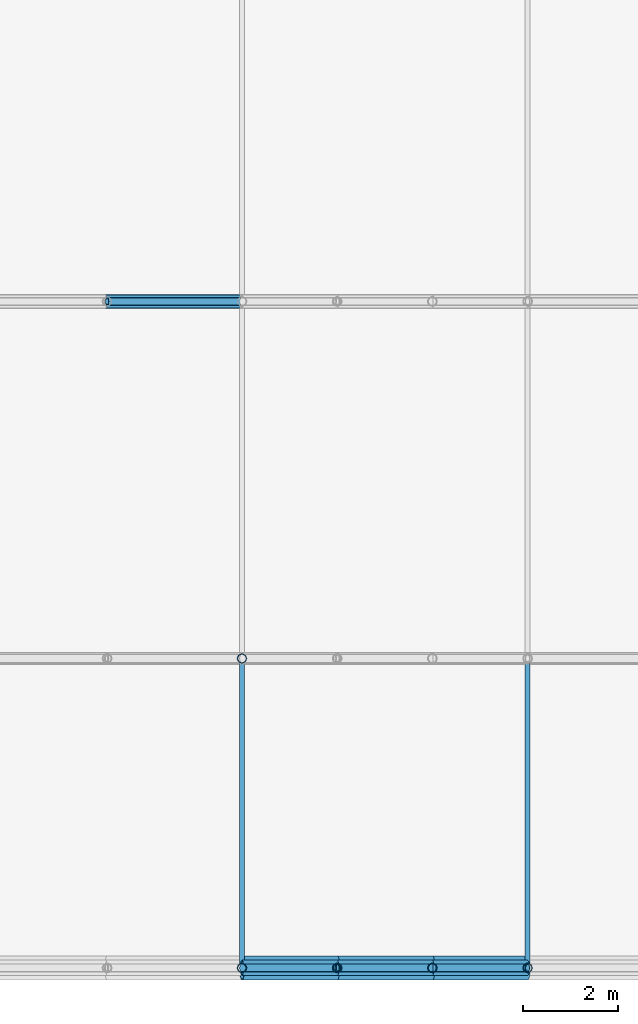
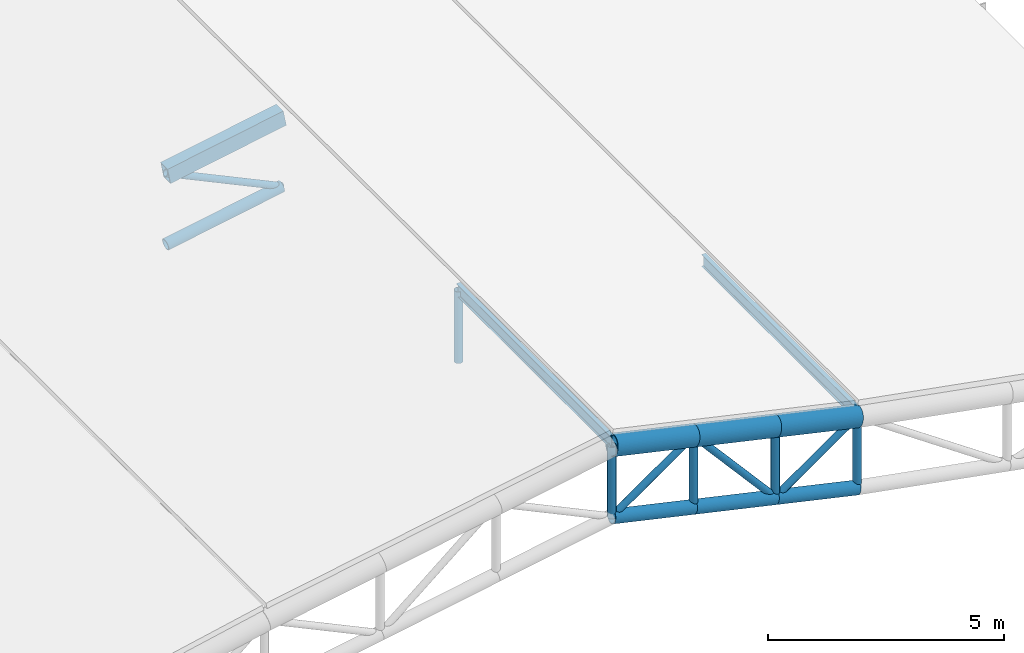
# One storey, part 2 of 28: 15 members, 4 beams.
"""IFC4 building model written with IfcOpenShell, lengths in metres."""

from ifc_helpers import new_model, si_unit, direction, frame, origin, origin_2d, place, context, subcontext, project, spatial, hollow_rectangle, hollow_circle, i_section, extrude, material, material_profile, profile_set, type_object, element, save


model = new_model("IFC4")

# Units and contexts
model_context = context("Model", 3, precision=1e-05, world=origin(), true_north=direction((0.0, 1.0)))
body_context = subcontext(model_context, "Body", "Model", "MODEL_VIEW")
ifc_project = project(units=[si_unit("LENGTHUNIT", "METRE"), si_unit("AREAUNIT", "SQUARE_METRE"), si_unit("VOLUMEUNIT", "CUBIC_METRE"), si_unit("PLANEANGLEUNIT", "RADIAN"), si_unit("MASSUNIT", "GRAM", prefix="KILO"), si_unit("THERMODYNAMICTEMPERATUREUNIT", "KELVIN"), si_unit("POWERUNIT", "WATT")], contexts=[model_context])

# Site, building, storey
site_placement = place(None, origin())
site = spatial("IfcSite", under=ifc_project, at=site_placement, CompositionType="ELEMENT")
building_placement = place(site_placement, origin())
building = spatial("IfcBuilding", under=site, at=building_placement, Name="Tepalcoro Natatorium and Aquatics Centre", CompositionType="ELEMENT")
storey_placement = place(building_placement, frame((0.0, 0.0, 23.199951171875)))
storey = spatial("IfcBuildingStorey", under=building, at=storey_placement, Name="RF", CompositionType="ELEMENT", Elevation=23.199951171875)

# Beams
ifc_material_1 = material(Name="Terracotta Painted Hollow Steel ASTM A500 Grade C (Fy 345 MPa)", Category="masonry")
ifc_material_profile_1 = material_profile(ifc_material_1, hollow_circle(Radius=0.25390625, WallThickness=0.02001953125, at=origin_2d()), Name="CHS508X20")
ifc_profile_set_1 = profile_set([ifc_material_profile_1], Name="Terracotta Painted Hollow Steel ASTM A500 Grade C (Fy 345 MPa)")
beam_type_1 = type_object("IfcBeamType", Name="AC_CHS508x20", PredefinedType="USERDEFINED", material=ifc_profile_set_1)
for number, where, z_axis, x_axis, name in (
    (1, (159.0, 6.5, -0.35693359375), (0.97561485681, 0.0, -0.21948952406), (0.0, 1.0, 0.0), "V2 Barrel-Arch Top Chord 1"),
    (2, (161.0, 6.5, -0.806884765625), (0.97561485681, 0.0, -0.21948952406), (0.0, 1.0, 0.0), "V2 Barrel-Arch Top Chord 1"),
    (3, (163.0, 6.5, -1.2568359375), (0.975589348514, 0.0, -0.219602875813), (0.0, 1.0, 0.0), "V2 Barrel-Arch Top Chord 1"),
):
    element("IfcBeam", number, at=place(storey_placement, frame(where, z_axis=z_axis, x_axis=x_axis)), inside=storey, type_object=beam_type_1, Name=name, ObjectType="ARCH CHORD", PredefinedType="USERDEFINED", context=body_context, shape_type="SweptSolid", body=[
        extrude(hollow_circle(Radius=0.25390625, WallThickness=0.02001953125, at=origin_2d()), origin(), (0.0, 0.0, 1.0), 2.050048828125),
    ])
ifc_material_profile_2 = material_profile(ifc_material_1, hollow_rectangle(XDim=0.300048828125, YDim=0.39990234375, WallThickness=0.01611328125, at=origin_2d()), Name="HSS400X300X16")
ifc_profile_set_2 = profile_set([ifc_material_profile_2], Name="Terracotta Painted Hollow Steel ASTM A500 Grade C (Fy 345 MPa)")
beam_type_2 = type_object("IfcBeamType", Name="AC_HSS400x300x16", PredefinedType="USERDEFINED", material=ifc_profile_set_2)
beam_placement = place(storey_placement, frame((156.166748046875, 20.5, -0.819580078125), z_axis=(0.983780267563, 0.0, 0.179377772181), x_axis=(0.0, 1.0, 0.0)))
element("IfcBeam", 4, at=beam_placement, inside=storey, type_object=beam_type_2, Name="V2 Barrel-Arch Top Chord 3", ObjectType="ARCH CHORD", PredefinedType="USERDEFINED", context=body_context, shape_type="SweptSolid", body=[
    extrude(hollow_rectangle(XDim=0.300048828125, YDim=0.39990234375, WallThickness=0.01611328125, at=origin_2d()), origin(), (0.0, 0.0, 1.0), 2.8798828125),
])

# Members
ifc_material_profile_3 = material_profile(ifc_material_1, hollow_circle(Radius=0.136474609375, WallThickness=0.01611328125, at=origin_2d()), Name="CHS273X16")
ifc_profile_set_3 = profile_set([ifc_material_profile_3], Name="Terracotta Painted Hollow Steel ASTM A500 Grade C (Fy 345 MPa)")
member_type_1 = type_object("IfcMemberType", Name="MB_CH_CHS273x16", PredefinedType="CHORD", material=ifc_profile_set_3)
member_1_placement = place(storey_placement, frame((156.166748046875, 20.5, -2.669677734375), z_axis=(0.98376530478, 0.0, 0.179459814754), x_axis=(0.0, 1.0, 0.0)))
element("IfcMember", 5, at=member_1_placement, inside=storey, type_object=member_type_1, Name="V2 Barrel-Arch Bottom Chord 3", PredefinedType="CHORD", context=body_context, shape_type="SweptSolid", body=[
    extrude(hollow_circle(Radius=0.136474609375, WallThickness=0.01611328125, at=origin_2d()), origin(), (0.0, 0.0, 1.0), 2.880126953125),
])
ifc_material_profile_4 = material_profile(ifc_material_1, hollow_circle(Radius=0.162109375, WallThickness=0.013916015625, at=origin_2d()), Name="CHS324X14")
ifc_profile_set_4 = profile_set([ifc_material_profile_4], Name="Terracotta Painted Hollow Steel ASTM A500 Grade C (Fy 345 MPa)")
member_type_2 = type_object("IfcMemberType", Name="MB_CH_CHS324x14", PredefinedType="CHORD", material=ifc_profile_set_4)
for number, where, z_axis, x_axis, name in (
    (6, (159.0, 6.5, -2.20703125), (0.97561485681, 0.0, -0.21948952406), (0.0, 1.0, 0.0), "V2 Barrel-Arch Bottom Chord 1"),
    (7, (161.0, 6.5, -2.656982421875), (0.97561485681, 0.0, -0.21948952406), (0.0, 1.0, 0.0), "V2 Barrel-Arch Bottom Chord 1"),
    (8, (163.0, 6.5, -3.10693359375), (0.97561485681, 0.0, -0.21948952406), (0.0, 1.0, 0.0), "V2 Barrel-Arch Bottom Chord 1"),
):
    element("IfcMember", number, at=place(storey_placement, frame(where, z_axis=z_axis, x_axis=x_axis)), inside=storey, type_object=member_type_2, Name=name, PredefinedType="CHORD", context=body_context, shape_type="SweptSolid", body=[
        extrude(hollow_circle(Radius=0.162109375, WallThickness=0.013916015625, at=origin_2d()), origin(), (0.0, 0.0, 1.0), 2.050048828125),
    ])
ifc_material_2 = material(Name="Steel ASTM A992 Grade 50 (Fy 345 MPa)", Category="steel")
ifc_material_profile_5 = material_profile(ifc_material_2, i_section(OverallWidth=0.10205078125, OverallDepth=0.31201171875, WebThickness=0.007080078125, FlangeThickness=0.010986328125, FilletRadius=0.013916015625, at=origin_2d()), Name="W12X22")
ifc_profile_set_5 = profile_set([ifc_material_profile_5], Name="Steel ASTM A992 Grade 50 (Fy 345 MPa)")
member_type_3 = type_object("IfcMemberType", Name="MB_PR_W12x22", PredefinedType="PURLIN", material=ifc_profile_set_5)
for number, where, z_axis, x_axis, name in (
    (9, (159.0, 6.5, -0.259033203125), (0.0, 1.0, 0.0), (-1.0, 0.0, 0.0), "V2 Barrel-Arch Roof Purlin"),
    (10, (165.0, 6.5, -1.60888671875), (0.0, 1.0, 0.0), (-1.0, 0.0, 0.0), "V2 Barrel-Arch Roof Purlin"),
):
    element("IfcMember", number, at=place(storey_placement, frame(where, z_axis=z_axis, x_axis=x_axis)), inside=storey, type_object=member_type_3, Name=name, PredefinedType="PURLIN", context=body_context, shape_type="SweptSolid", body=[
        extrude(i_section(OverallWidth=0.10205078125, OverallDepth=0.31201171875, WebThickness=0.007080078125, FlangeThickness=0.010986328125, FilletRadius=0.013916015625, at=origin_2d()), origin(), (0.0, 0.0, 1.0), 6.5),
    ])
ifc_material_profile_6 = material_profile(ifc_material_1, hollow_circle(Radius=0.096923828125, WallThickness=0.010009765625, at=origin_2d()), Name="CHS194X10")
ifc_profile_set_6 = profile_set([ifc_material_profile_6], Name="Terracotta Painted Hollow Steel ASTM A500 Grade C (Fy 345 MPa)")
member_type_4 = type_object("IfcMemberType", Name="MB_PS_CHS194x10", PredefinedType="POST", material=ifc_profile_set_6)
for number, where, z_axis, x_axis, name in (
    (11, (159.0, 6.5, -2.20703125), (0.0, 0.0, 1.0), (1.0, 0.0, 0.0), "V2 Barrel-Arch Post 1"),
    (12, (161.0, 6.5, -2.656982421875), (0.0, 0.0, 1.0), (1.0, 0.0, 0.0), "V2 Barrel-Arch Post 1"),
    (13, (163.0, 6.5, -3.10693359375), (0.0, 0.0, 1.0), (1.0, 0.0, 0.0), "V2 Barrel-Arch Post 1"),
):
    element("IfcMember", number, at=place(storey_placement, frame(where, z_axis=z_axis, x_axis=x_axis)), inside=storey, type_object=member_type_4, Name=name, PredefinedType="POST", context=body_context, shape_type="SweptSolid", body=[
        extrude(hollow_circle(Radius=0.096923828125, WallThickness=0.010009765625, at=origin_2d()), origin(), (0.0, 0.0, 1.0), 1.85009765625),
    ])
member_2_placement = place(storey_placement, frame((165.0, 6.5, -3.556884765625), z_axis=(0.0, 0.0, 1.0), x_axis=(1.0, 0.0, 0.0)))
element("IfcMember", 14, at=member_2_placement, inside=storey, type_object=member_type_4, Name="V2 Barrel-Arch Post 1", PredefinedType="POST", context=body_context, shape_type="SweptSolid", body=[
    extrude(hollow_circle(Radius=0.096923828125, WallThickness=0.010009765625, at=origin_2d()), origin(), (0.0, 0.0, 1.0), 1.849853515625),
])
member_3_placement = place(storey_placement, frame((159.0, 13.0, -2.1279296875), z_axis=(0.0, 0.0, 1.0), x_axis=(1.0, 0.0, 0.0)))
element("IfcMember", 15, at=member_3_placement, inside=storey, type_object=member_type_4, Name="V2 Barrel-Arch Post 2", PredefinedType="POST", context=body_context, shape_type="SweptSolid", body=[
    extrude(hollow_circle(Radius=0.096923828125, WallThickness=0.010009765625, at=origin_2d()), origin(), (0.0, 0.0, 1.0), 1.85009765625),
])
ifc_material_profile_7 = material_profile(ifc_material_1, hollow_circle(Radius=0.083984375, WallThickness=0.011962890625, at=origin_2d()), Name="CHS168X12")
ifc_profile_set_7 = profile_set([ifc_material_profile_7], Name="Terracotta Painted Hollow Steel ASTM A500 Grade C (Fy 345 MPa)")
member_type_5 = type_object("IfcMemberType", Name="MB_ST_CHS168x12", PredefinedType="STRUT", material=ifc_profile_set_7)
member_4_placement = place(storey_placement, frame((159.0, 6.5, -2.20703125), z_axis=(0.819203731481, 0.0, 0.57350261231), x_axis=(0.0, 1.0, 0.0)))
element("IfcMember", 16, at=member_4_placement, inside=storey, type_object=member_type_5, Name="V2 Barrel-Arch Web Diagonal 1", PredefinedType="STRUT", context=body_context, shape_type="SweptSolid", body=[
    extrude(hollow_circle(Radius=0.083984375, WallThickness=0.011962890625, at=origin_2d()), origin(), (0.0, 0.0, 1.0), 2.44140625),
])
member_5_placement = place(storey_placement, frame((161.0, 6.5, -0.806884765625), z_axis=(0.65617078259, 0.0, -0.754612419773), x_axis=(0.0, 1.0, 0.0)))
element("IfcMember", 17, at=member_5_placement, inside=storey, type_object=member_type_5, Name="V2 Barrel-Arch Web Diagonal 1", PredefinedType="STRUT", context=body_context, shape_type="SweptSolid", body=[
    extrude(hollow_circle(Radius=0.083984375, WallThickness=0.011962890625, at=origin_2d()), origin(), (0.0, 0.0, 1.0), 3.048095703125),
])
member_6_placement = place(storey_placement, frame((163.0, 6.5, -3.10693359375), z_axis=(0.819250713189, 0.0, 0.573435496756), x_axis=(0.0, 1.0, 0.0)))
element("IfcMember", 18, at=member_6_placement, inside=storey, type_object=member_type_5, Name="V2 Barrel-Arch Web Diagonal 1", PredefinedType="STRUT", context=body_context, shape_type="SweptSolid", body=[
    extrude(hollow_circle(Radius=0.083984375, WallThickness=0.011962890625, at=origin_2d()), origin(), (0.0, 0.0, 1.0), 2.441162109375),
])
member_7_placement = place(storey_placement, frame((156.166748046875, 20.5, -0.819580078125), z_axis=(0.904824003103, 0.0, -0.425785771732), x_axis=(0.0, 1.0, 0.0)))
element("IfcMember", 19, at=member_7_placement, inside=storey, type_object=member_type_5, Name="V2 Barrel-Arch Web Diagonal 3", PredefinedType="STRUT", context=body_context, shape_type="SweptSolid", body=[
    extrude(hollow_circle(Radius=0.083984375, WallThickness=0.011962890625, at=origin_2d()), origin(), (0.0, 0.0, 1.0), 3.13134765625),
])

save(model, "model.ifc")
